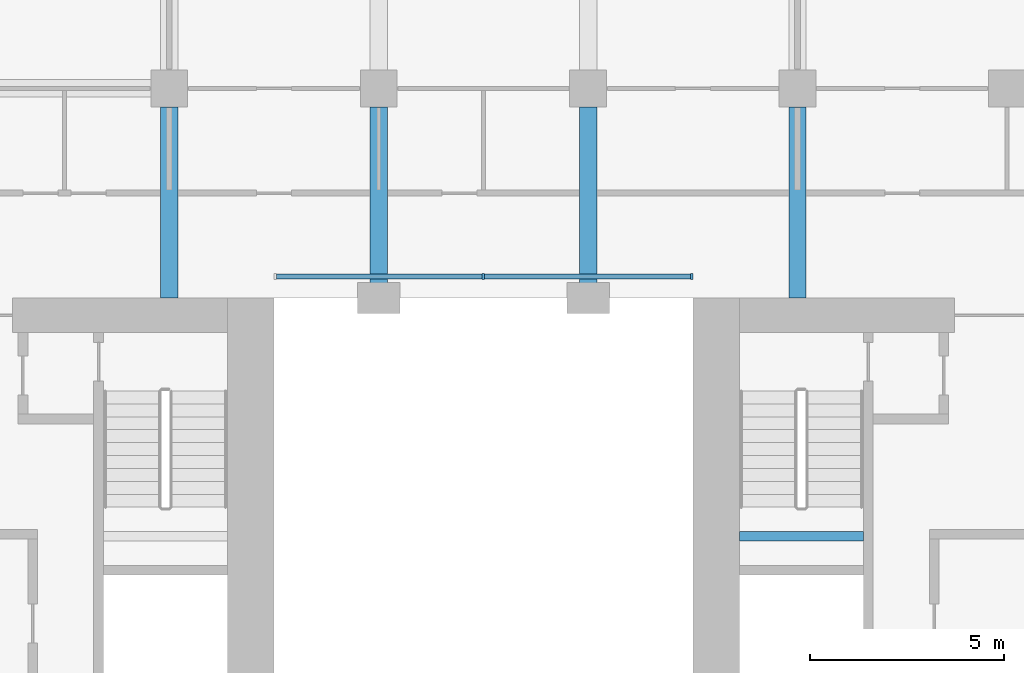
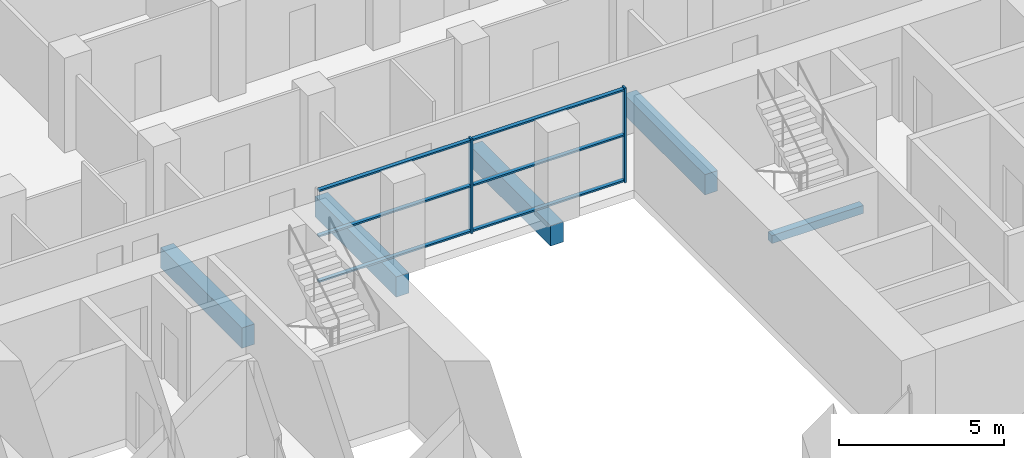
# One storey, part 4 of 13: 8 members, 5 beams, 1 element without a shape of its own.
"""IFC4 building model written with IfcOpenShell, lengths in metres."""

from ifc_helpers import new_model, si_unit, direction, frame, origin, origin_2d, place, context, subcontext, project, spatial, rectangle, extrude, material, material_profile, profile_set, type_object, element, aggregate, save


model = new_model("IFC4")

# Units and contexts
model_context = context("Model", 3, precision=1e-05, world=origin(), true_north=direction((0.0, 1.0)))
body_context = subcontext(model_context, "Body", "Model", "MODEL_VIEW")
ifc_project = project(units=[si_unit("LENGTHUNIT", "METRE"), si_unit("AREAUNIT", "SQUARE_METRE"), si_unit("VOLUMEUNIT", "CUBIC_METRE"), si_unit("PLANEANGLEUNIT", "RADIAN"), si_unit("MASSUNIT", "GRAM", prefix="KILO")], contexts=[model_context])

# Site, building, storey
site_placement = place(None, origin())
site = spatial("IfcSite", under=ifc_project, at=site_placement, CompositionType="ELEMENT")
building_placement = place(site_placement, origin())
building = spatial("IfcBuilding", under=site, at=building_placement, Name="Tabaq Tower and Sports Hall", CompositionType="ELEMENT")
storey_placement = place(building_placement, frame((0.0, 0.0, 118.199951171875)))
storey = spatial("IfcBuildingStorey", under=building, at=storey_placement, Name="L28", CompositionType="ELEMENT", Elevation=118.199951171875)

# Curtain wall, members
ifc_material_1 = material(Name="Aluminium alloy 6063-T6 framed glazing", Category="aluminium")
curtain_wall_type = type_object("IfcCurtainWallType", Name="CW1 curtain wall", PredefinedType="USERDEFINED", material=ifc_material_1)
curtain_wall_placement = place(storey_placement, origin())
curtain_wall = element("IfcCurtainWall", 1, at=curtain_wall_placement, inside=storey, type_object=curtain_wall_type, Name="Atrium glazing L28 N", ObjectType="ATRIUM ENCLOSURE", PredefinedType="USERDEFINED")
ifc_material_2 = material(Name="Aluminium alloy 6063-T6", Category="aluminium")
ifc_material_profile_1 = material_profile(ifc_material_2, rectangle(XDim=0.159912109375, YDim=0.06005859375, at=origin_2d()), Name="MULLION 160x60")
ifc_profile_set_1 = profile_set([ifc_material_profile_1], Name="Aluminium alloy 6063-T6")
member_type_1 = type_object("IfcMemberType", Name="CW1 mullion 160x60", PredefinedType="MULLION", material=ifc_profile_set_1)
member_1_placement = place(storey_placement, frame((24.300048828125, 32.949951171875, 0.0), z_axis=(0.0, 0.0, 1.0), x_axis=(0.0, 1.0, 0.0)))
member_1 = element("IfcMember", 2, at=member_1_placement, type_object=member_type_1, Name="CW1 mullion 2", PredefinedType="MULLION", context=body_context, shape_type="SweptSolid", body=[
    extrude(rectangle(XDim=0.159912109375, YDim=0.06005859375, at=origin_2d()), origin(), (0.0, 0.0, 1.0), 3.5),
])
member_2_placement = place(storey_placement, frame((29.669921875, 32.949951171875, 0.0), z_axis=(0.0, 0.0, 1.0), x_axis=(0.0, 1.0, 0.0)))
member_2 = element("IfcMember", 3, at=member_2_placement, type_object=member_type_1, Name="CW1 mullion 3", PredefinedType="MULLION", context=body_context, shape_type="SweptSolid", body=[
    extrude(rectangle(XDim=0.159912109375, YDim=0.06005859375, at=origin_2d()), origin(), (0.0, 0.0, 1.0), 3.5),
])
ifc_material_3 = material(Name="Aluminium alloy 6063-T6", Category="aluminium")
ifc_material_profile_2 = material_profile(ifc_material_3, rectangle(XDim=0.139892578125, YDim=0.06005859375, at=origin_2d()), Name="TRANSOM 140x60")
ifc_profile_set_2 = profile_set([ifc_material_profile_2], Name="Aluminium alloy 6063-T6")
member_type_2 = type_object("IfcMemberType", Name="CW1 transom 140x60", PredefinedType="USERDEFINED", material=ifc_profile_set_2)
member_3_placement = place(storey_placement, frame((18.9599609375, 32.949951171875, 0.070068359375), z_axis=(1.0, 0.0, 0.0), x_axis=(0.0, 1.0, 0.0)))
member_3 = element("IfcMember", 4, at=member_3_placement, type_object=member_type_2, Name="CW1 transom 1.1", ObjectType="TRANSOM", PredefinedType="USERDEFINED", context=body_context, shape_type="SweptSolid", body=[
    extrude(rectangle(XDim=0.139892578125, YDim=0.06005859375, at=origin_2d()), origin(), (0.0, 0.0, 1.0), 5.31005859375),
])
member_4_placement = place(storey_placement, frame((18.9599609375, 32.949951171875, 1.75), z_axis=(1.0, 0.0, 0.0), x_axis=(0.0, 1.0, 0.0)))
member_4 = element("IfcMember", 5, at=member_4_placement, type_object=member_type_2, Name="CW1 transom 1.2", ObjectType="TRANSOM", PredefinedType="USERDEFINED", context=body_context, shape_type="SweptSolid", body=[
    extrude(rectangle(XDim=0.139892578125, YDim=0.06005859375, at=origin_2d()), origin(), (0.0, 0.0, 1.0), 5.31005859375),
])
member_5_placement = place(storey_placement, frame((18.9599609375, 32.949951171875, 3.429931640625), z_axis=(1.0, 0.0, 0.0), x_axis=(0.0, 1.0, 0.0)))
member_5 = element("IfcMember", 6, at=member_5_placement, type_object=member_type_2, Name="CW1 transom 1.3", ObjectType="TRANSOM", PredefinedType="USERDEFINED", context=body_context, shape_type="SweptSolid", body=[
    extrude(rectangle(XDim=0.139892578125, YDim=0.06005859375, at=origin_2d()), origin(), (0.0, 0.0, 1.0), 5.31005859375),
])
member_6_placement = place(storey_placement, frame((24.330078125, 32.949951171875, 0.070068359375), z_axis=(1.0, 0.0, 0.0), x_axis=(0.0, 1.0, 0.0)))
member_6 = element("IfcMember", 7, at=member_6_placement, type_object=member_type_2, Name="CW1 transom 2.1", ObjectType="TRANSOM", PredefinedType="USERDEFINED", context=body_context, shape_type="SweptSolid", body=[
    extrude(rectangle(XDim=0.139892578125, YDim=0.06005859375, at=origin_2d()), origin(), (0.0, 0.0, 1.0), 5.309814453125),
])
member_7_placement = place(storey_placement, frame((24.330078125, 32.949951171875, 1.75), z_axis=(1.0, 0.0, 0.0), x_axis=(0.0, 1.0, 0.0)))
member_7 = element("IfcMember", 8, at=member_7_placement, type_object=member_type_2, Name="CW1 transom 2.2", ObjectType="TRANSOM", PredefinedType="USERDEFINED", context=body_context, shape_type="SweptSolid", body=[
    extrude(rectangle(XDim=0.139892578125, YDim=0.06005859375, at=origin_2d()), origin(), (0.0, 0.0, 1.0), 5.309814453125),
])
member_8_placement = place(storey_placement, frame((24.330078125, 32.949951171875, 3.429931640625), z_axis=(1.0, 0.0, 0.0), x_axis=(0.0, 1.0, 0.0)))
member_8 = element("IfcMember", 9, at=member_8_placement, type_object=member_type_2, Name="CW1 transom 2.3", ObjectType="TRANSOM", PredefinedType="USERDEFINED", context=body_context, shape_type="SweptSolid", body=[
    extrude(rectangle(XDim=0.139892578125, YDim=0.06005859375, at=origin_2d()), origin(), (0.0, 0.0, 1.0), 5.309814453125),
])
aggregate(curtain_wall, [member_1, member_2, member_3, member_4, member_5, member_6, member_7, member_8])

# Beams
ifc_material_4 = material(Name="Concrete C40/50", Category="concrete")
ifc_material_profile_3 = material_profile(ifc_material_4, rectangle(XDim=0.449951171875, YDim=0.75, at=origin_2d()), Name="CB 450x750")
ifc_profile_set_3 = profile_set([ifc_material_profile_3], Name="Concrete C40/50")
beam_type_1 = type_object("IfcBeamType", Name="PT CANTILEVER BEAM CB 450x750 C40/50", PredefinedType="BEAM", material=ifc_profile_set_3)
for number, where, z_axis, x_axis, name in (
    (10, (16.199951171875, 37.324951171875, -0.675048828125), (0.0, -1.0, 0.0), (1.0, 0.0, 0.0), "Cantilever Beam L28 N3 span 3"),
    (11, (21.60009765625, 37.324951171875, -0.675048828125), (0.0, -1.0, 0.0), (1.0, 0.0, 0.0), "Cantilever Beam L28 N4 span 3"),
    (12, (27.0, 37.324951171875, -0.675048828125), (0.0, -1.0, 0.0), (1.0, 0.0, 0.0), "Cantilever Beam L28 N5 span 3"),
    (13, (32.39990234375, 37.324951171875, -0.675048828125), (0.0, -1.0, 0.0), (1.0, 0.0, 0.0), "Cantilever Beam L28 N6 span 3"),
):
    element("IfcBeam", number, at=place(storey_placement, frame(where, z_axis=z_axis, x_axis=x_axis)), inside=storey, type_object=beam_type_1, Name=name, PredefinedType="BEAM", context=body_context, shape_type="SweptSolid", body=[
        extrude(rectangle(XDim=0.449951171875, YDim=0.75, at=origin_2d()), origin(), (0.0, 0.0, 1.0), 4.925048828125),
    ])
ifc_material_5 = material(Name="Concrete C40/50", Category="concrete")
ifc_material_profile_4 = material_profile(ifc_material_5, rectangle(XDim=0.25, YDim=0.300048828125, at=origin_2d()), Name="RC 250x300")
ifc_profile_set_4 = profile_set([ifc_material_profile_4], Name="Concrete C40/50")
beam_type_2 = type_object("IfcBeamType", Name="Stair landing beam 250x300", PredefinedType="BEAM", material=ifc_profile_set_4)
beam_placement = place(storey_placement, frame((30.89990234375, 26.25, 1.550048828125), z_axis=(1.0, 0.0, 0.0), x_axis=(0.0, 1.0, 0.0)))
element("IfcBeam", 14, at=beam_placement, inside=storey, type_object=beam_type_2, Name="L28 ST4 landing beam 1", PredefinedType="BEAM", context=body_context, shape_type="SweptSolid", body=[
    extrude(rectangle(XDim=0.25, YDim=0.300048828125, at=origin_2d()), origin(), (0.0, 0.0, 1.0), 3.2001953125),
])

save(model, "model.ifc")
